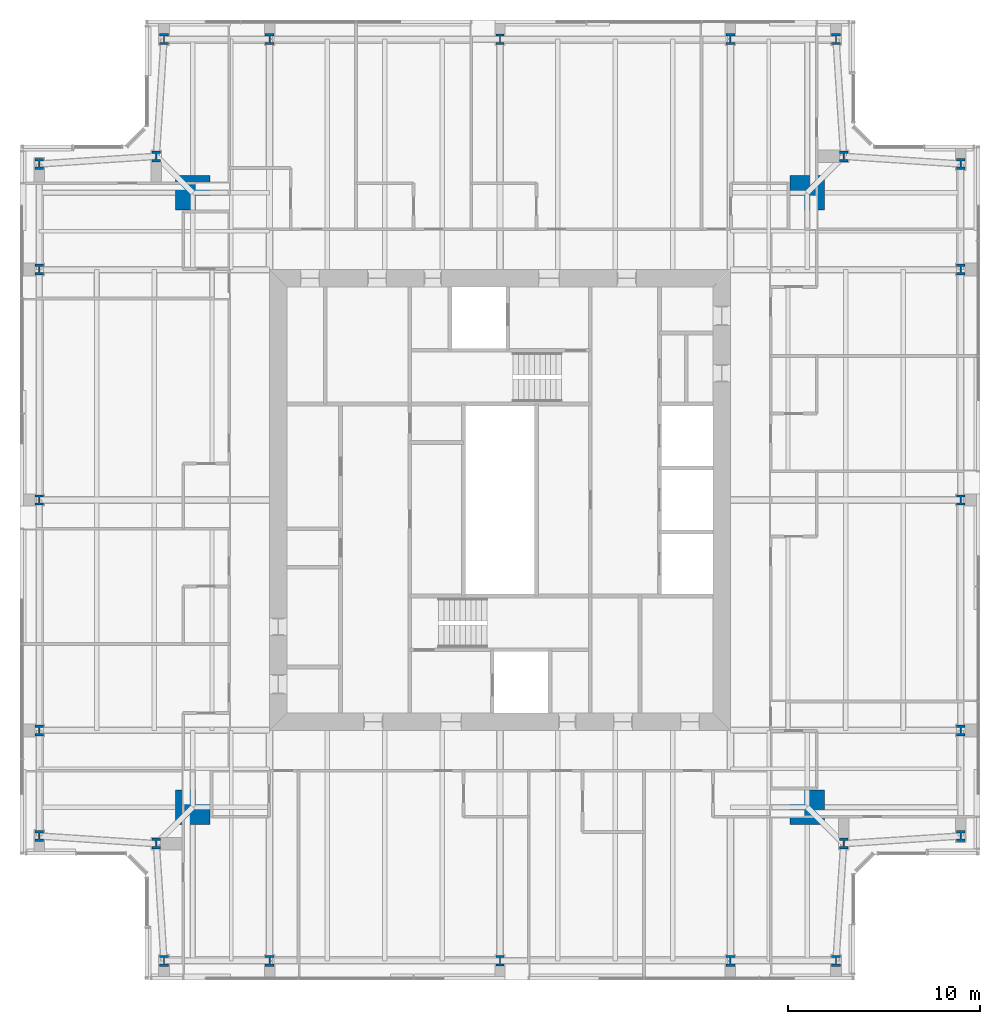
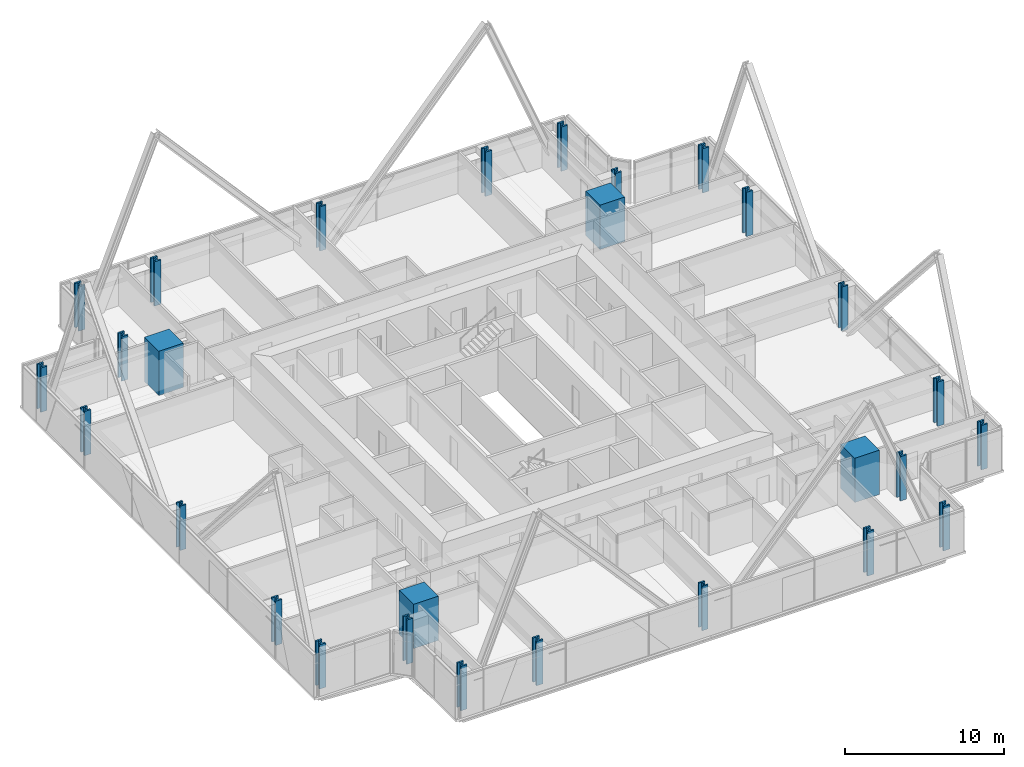
# One storey, part 1 of 20: 28 columns.
"""IFC4 building model written with IfcOpenShell, lengths in metres."""

from ifc_helpers import new_model, si_unit, direction, frame, origin, origin_2d, place, context, subcontext, project, spatial, rectangle, i_section, extrude, material, material_profile, profile_set, type_object, element, save


model = new_model("IFC4")

# Units and contexts
model_context = context("Model", 3, precision=1e-05, world=origin(), true_north=direction((0.0, 1.0)))
body_context = subcontext(model_context, "Body", "Model", "MODEL_VIEW")
ifc_project = project(units=[si_unit("LENGTHUNIT", "METRE"), si_unit("AREAUNIT", "SQUARE_METRE"), si_unit("VOLUMEUNIT", "CUBIC_METRE"), si_unit("PLANEANGLEUNIT", "RADIAN"), si_unit("MASSUNIT", "GRAM", prefix="KILO")], contexts=[model_context])

# Site, building, storey
site_placement = place(None, origin())
site = spatial("IfcSite", under=ifc_project, at=site_placement, CompositionType="ELEMENT")
building_placement = place(site_placement, origin())
building = spatial("IfcBuilding", under=site, at=building_placement, Name="Fenwick Lantern Interchange", CompositionType="ELEMENT")
storey_placement = place(building_placement, frame((0.0, 0.0, 256.0)))
storey = spatial("IfcBuildingStorey", under=building, at=storey_placement, Name="L60", CompositionType="ELEMENT", Elevation=256.0)

# Columns
ifc_material_1 = material(Name="Concrete f'c 70 MPa", Category="concrete")
ifc_material_profile_1 = material_profile(ifc_material_1, rectangle(XDim=1.800048828125, YDim=1.800048828125, at=origin_2d()), Name="RC1800X1800")
ifc_profile_set_1 = profile_set([ifc_material_profile_1], Name="Concrete f'c 70 MPa")
column_type_1 = type_object("IfcColumnType", Name="MEGA COLUMN RC1800X1800", PredefinedType="COLUMN", material=ifc_profile_set_1)
for number, where, z_axis, x_axis, name in (
    (1, (9.0, 9.0, 0.0), (0.0, 0.0, 1.0), (1.0, 0.0, 0.0), "L60/M1"),
    (2, (41.0, 9.0, 0.0), (0.0, 0.0, 1.0), (1.0, 0.0, 0.0), "L60/M2"),
    (3, (41.0, 41.0, 0.0), (0.0, 0.0, 1.0), (1.0, 0.0, 0.0), "L60/M3"),
    (4, (9.0, 41.0, 0.0), (0.0, 0.0, 1.0), (1.0, 0.0, 0.0), "L60/M4"),
):
    element("IfcColumn", number, at=place(storey_placement, frame(where, z_axis=z_axis, x_axis=x_axis)), inside=storey, type_object=column_type_1, Name=name, PredefinedType="COLUMN", context=body_context, shape_type="SweptSolid", body=[
        extrude(rectangle(XDim=1.800048828125, YDim=1.800048828125, at=origin_2d()), origin(), (0.0, 0.0, 1.0), 3.39990234375),
    ])
ifc_material_2 = material(Name="Steel ASTM A992 Grade 50", Category="steel")
ifc_material_profile_2 = material_profile(ifc_material_2, i_section(OverallWidth=0.44189453125, OverallDepth=0.53076171875, WebThickness=0.06591796875, FlangeThickness=0.105712890625, at=origin_2d()), Name="W14X605")
ifc_profile_set_2 = profile_set([ifc_material_profile_2], Name="Steel ASTM A992 Grade 50")
column_type_2 = type_object("IfcColumnType", Name="PERIMETER COLUMN W14X605", PredefinedType="COLUMN", material=ifc_profile_set_2)
for number, where, z_axis, x_axis, name in (
    (5, (25.0, 1.0, 0.0), (0.0, 0.0, 1.0), (1.0, 0.0, 0.0), "L60/CS3"),
    (6, (49.0, 25.0, 0.0), (0.0, 0.0, 1.0), (1.0, 0.0, 0.0), "L60/CE3"),
    (7, (25.0, 49.0, 0.0), (0.0, 0.0, 1.0), (1.0, 0.0, 0.0), "L60/CN3"),
    (8, (1.0, 25.0, 0.0), (0.0, 0.0, 1.0), (1.0, 0.0, 0.0), "L60/CW3"),
):
    element("IfcColumn", number, at=place(storey_placement, frame(where, z_axis=z_axis, x_axis=x_axis)), inside=storey, type_object=column_type_2, Name=name, PredefinedType="COLUMN", context=body_context, shape_type="SweptSolid", body=[
        extrude(i_section(OverallWidth=0.44189453125, OverallDepth=0.53076171875, WebThickness=0.06591796875, FlangeThickness=0.105712890625, at=origin_2d()), origin(), (0.0, 0.0, 1.0), 3.39990234375),
    ])
ifc_material_profile_3 = material_profile(ifc_material_2, i_section(OverallWidth=0.45458984375, OverallDepth=0.56884765625, WebThickness=0.077880859375, FlangeThickness=0.124755859375, at=origin_2d()), Name="W14X730")
ifc_profile_set_3 = profile_set([ifc_material_profile_3], Name="Steel ASTM A992 Grade 50")
column_type_3 = type_object("IfcColumnType", Name="PERIMETER COLUMN W14X730", PredefinedType="COLUMN", material=ifc_profile_set_3)
for number, where, z_axis, x_axis, name in (
    (9, (7.5, 1.0, 0.0), (0.0, 0.0, 1.0), (1.0, 0.0, 0.0), "L60/CS1"),
    (10, (13.0, 1.0, 0.0), (0.0, 0.0, 1.0), (1.0, 0.0, 0.0), "L60/CS2"),
    (11, (37.0, 1.0, 0.0), (0.0, 0.0, 1.0), (1.0, 0.0, 0.0), "L60/CS4"),
    (12, (42.5, 1.0, 0.0), (0.0, 0.0, 1.0), (1.0, 0.0, 0.0), "L60/CS5"),
    (13, (42.89990234375, 7.10009765625, 0.0), (0.0, 0.0, 1.0), (1.0, 0.0, 0.0), "L60/CSR"),
    (14, (49.0, 7.5, 0.0), (0.0, 0.0, 1.0), (1.0, 0.0, 0.0), "L60/CE1"),
    (15, (49.0, 13.0, 0.0), (0.0, 0.0, 1.0), (1.0, 0.0, 0.0), "L60/CE2"),
    (16, (49.0, 37.0, 0.0), (0.0, 0.0, 1.0), (1.0, 0.0, 0.0), "L60/CE4"),
    (17, (49.0, 42.5, 0.0), (0.0, 0.0, 1.0), (1.0, 0.0, 0.0), "L60/CE5"),
    (18, (42.89990234375, 42.89990234375, 0.0), (0.0, 0.0, 1.0), (1.0, 0.0, 0.0), "L60/CER"),
    (19, (42.5, 49.0, 0.0), (0.0, 0.0, 1.0), (1.0, 0.0, 0.0), "L60/CN1"),
    (20, (37.0, 49.0, 0.0), (0.0, 0.0, 1.0), (1.0, 0.0, 0.0), "L60/CN2"),
    (21, (13.0, 49.0, 0.0), (0.0, 0.0, 1.0), (1.0, 0.0, 0.0), "L60/CN4"),
    (22, (7.5, 49.0, 0.0), (0.0, 0.0, 1.0), (1.0, 0.0, 0.0), "L60/CN5"),
    (23, (7.10009765625, 42.89990234375, 0.0), (0.0, 0.0, 1.0), (1.0, 0.0, 0.0), "L60/CNR"),
    (24, (1.0, 42.5, 0.0), (0.0, 0.0, 1.0), (1.0, 0.0, 0.0), "L60/CW1"),
    (25, (1.0, 37.0, 0.0), (0.0, 0.0, 1.0), (1.0, 0.0, 0.0), "L60/CW2"),
    (26, (1.0, 13.0, 0.0), (0.0, 0.0, 1.0), (1.0, 0.0, 0.0), "L60/CW4"),
    (27, (1.0, 7.5, 0.0), (0.0, 0.0, 1.0), (1.0, 0.0, 0.0), "L60/CW5"),
    (28, (7.10009765625, 7.10009765625, 0.0), (0.0, 0.0, 1.0), (1.0, 0.0, 0.0), "L60/CWR"),
):
    element("IfcColumn", number, at=place(storey_placement, frame(where, z_axis=z_axis, x_axis=x_axis)), inside=storey, type_object=column_type_3, Name=name, PredefinedType="COLUMN", context=body_context, shape_type="SweptSolid", body=[
        extrude(i_section(OverallWidth=0.45458984375, OverallDepth=0.56884765625, WebThickness=0.077880859375, FlangeThickness=0.124755859375, at=origin_2d()), origin(), (0.0, 0.0, 1.0), 3.39990234375),
    ])

save(model, "model.ifc")
